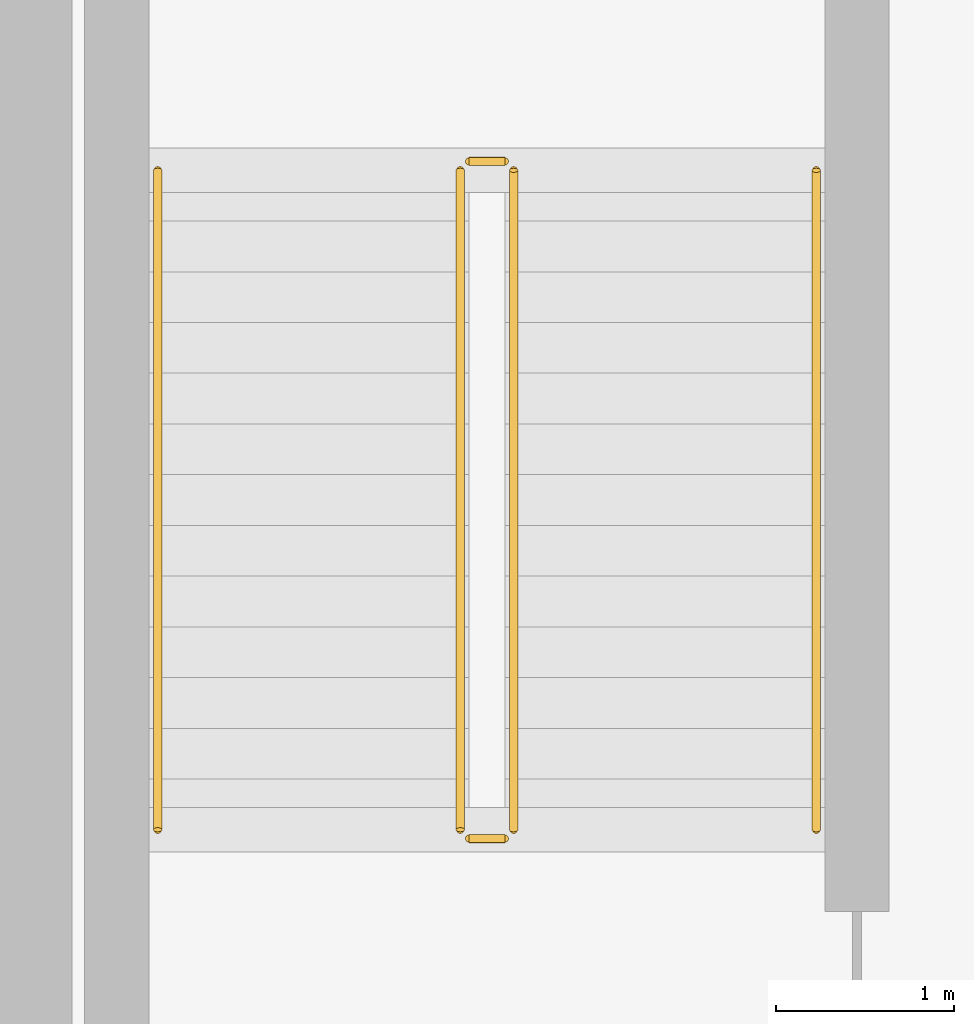
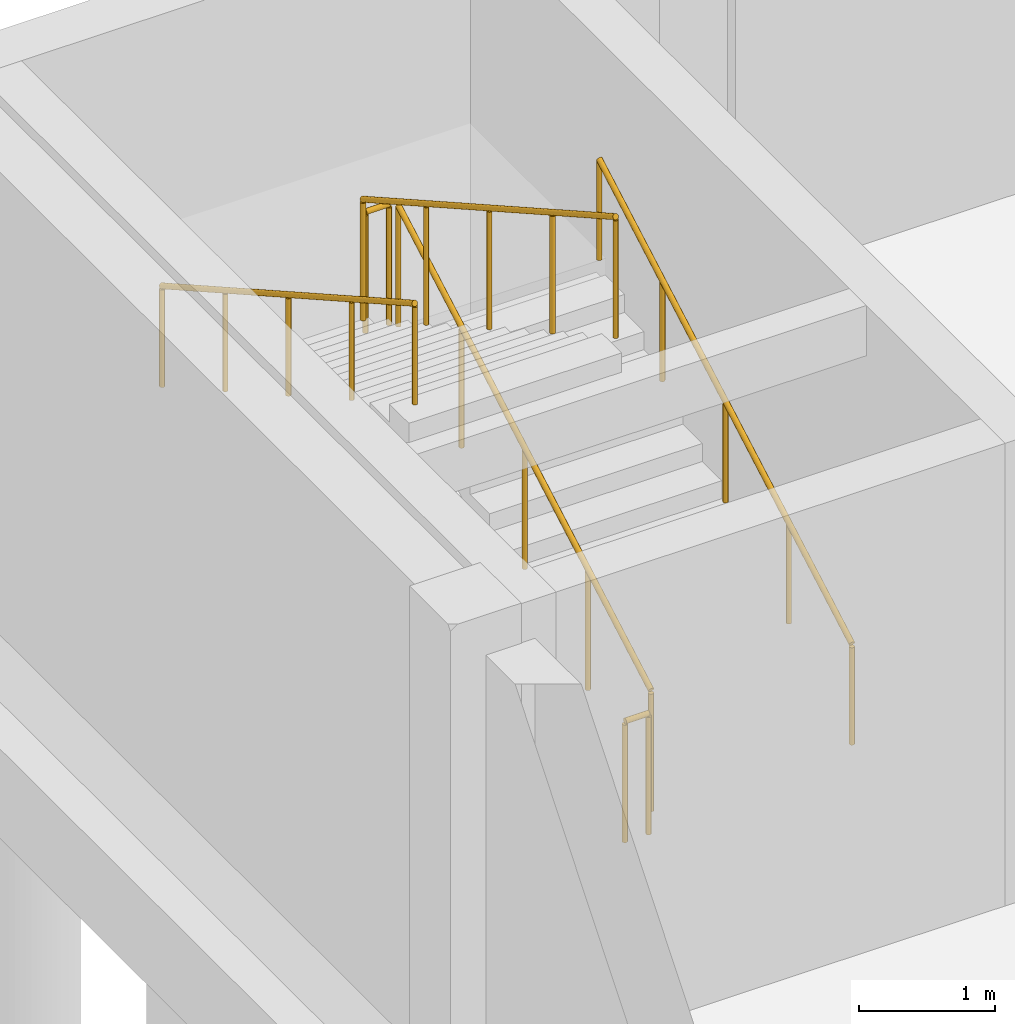
# One storey, part 20 of 25: 6 railings.
"""IFC4 building model written with IfcOpenShell, lengths in metres."""

from ifc_helpers import new_model, si_unit, direction, frame, origin, origin_2d, place, context, subcontext, project, spatial, circle, extrude, material, type_object, element, save


model = new_model("IFC4")

# Units and contexts
model_context = context("Model", 3, precision=1e-05, world=origin(), true_north=direction((0.0, 1.0)))
body_context = subcontext(model_context, "Body", "Model", "MODEL_VIEW")
ifc_project = project(units=[si_unit("LENGTHUNIT", "METRE"), si_unit("AREAUNIT", "SQUARE_METRE"), si_unit("VOLUMEUNIT", "CUBIC_METRE"), si_unit("PLANEANGLEUNIT", "RADIAN"), si_unit("MASSUNIT", "GRAM", prefix="KILO")], contexts=[model_context])

# Site, building, storey
site_placement = place(None, origin())
site = spatial("IfcSite", under=ifc_project, at=site_placement, CompositionType="ELEMENT")
building_placement = place(site_placement, origin())
building = spatial("IfcBuilding", under=site, at=building_placement, Name="Qaldarim Faculty of Natural and Applied Sciences", CompositionType="ELEMENT")
storey_placement = place(building_placement, frame((0.0, 0.0, -4.5)))
storey = spatial("IfcBuildingStorey", under=building, at=storey_placement, Name="B01", CompositionType="ELEMENT", Elevation=-4.5)

# Railings
ifc_material = material(Name="Architectural stainless steel 316", Category="steel")
railing_type_1 = type_object("IfcRailingType", Name="GuardBalustrade-1100", PredefinedType="BALUSTRADE", material=ifc_material)
railing_1_placement = place(storey_placement, frame((2.89990234375, 77.89990234375, 0.159912109375)))
element("IfcRailing", 1, at=railing_1_placement, inside=storey, type_object=railing_type_1, Name="ST-D2 B01 stair well guard 1", PredefinedType="BALUSTRADE", context=body_context, shape_type="SweptSolid", body=[
    extrude(circle(Radius=0.02392578125, at=origin_2d()), frame((0.0, 0.0, 1.076171875), z_axis=(0.0, 0.870974059579, 0.491329001322), x_axis=(-1.0, 0.0, 0.0)), (0.0, 0.0, 1.0), 4.25390625),
    extrude(circle(Radius=0.02099609375, at=origin_2d()), origin(), (0.0, 0.0, 1.0), 1.052001953125),
    extrude(circle(Radius=0.02099609375, at=origin_2d()), frame((0.0, 0.92626953125, 0.5224609375)), (0.0, 0.0, 1.0), 1.052001953125),
    extrude(circle(Radius=0.02099609375, at=origin_2d()), frame((0.0, 1.8525390625, 1.044921875)), (0.0, 0.0, 1.0), 1.052001953125),
    extrude(circle(Radius=0.02099609375, at=origin_2d()), frame((0.0, 2.77880859375, 1.567626953125)), (0.0, 0.0, 1.0), 1.052001953125),
    extrude(circle(Radius=0.02099609375, at=origin_2d()), frame((0.0, 3.705078125, 2.090087890625)), (0.0, 0.0, 1.0), 1.052001953125),
])
railing_2_placement = place(storey_placement, frame((2.85009765625, 81.655029296875, 2.25)))
element("IfcRailing", 2, at=railing_2_placement, inside=storey, type_object=railing_type_1, Name="ST-D2 B01 stair well guard 2", PredefinedType="BALUSTRADE", context=body_context, shape_type="SweptSolid", body=[
    extrude(circle(Radius=0.02392578125, at=origin_2d()), frame((0.0, 0.0, 1.076171875), z_axis=(-1.0, 0.0, 0.0), x_axis=(0.0, -1.0, 0.0)), (0.0, 0.0, 1.0), 0.2001953125),
    extrude(circle(Radius=0.02099609375, at=origin_2d()), origin(), (0.0, 0.0, 1.0), 1.052001953125),
    extrude(circle(Radius=0.02099609375, at=origin_2d()), frame((-0.2001953125, 0.0, 0.0)), (0.0, 0.0, 1.0), 1.052001953125),
])
railing_3_placement = place(storey_placement, frame((2.60009765625, 81.60498046875, 2.409912109375)))
element("IfcRailing", 3, at=railing_3_placement, inside=storey, type_object=railing_type_1, Name="ST-D2 B01 stair well guard 3", PredefinedType="BALUSTRADE", context=body_context, shape_type="SweptSolid", body=[
    extrude(circle(Radius=0.02392578125, at=origin_2d()), frame((0.0, 0.0, 1.076171875), z_axis=(0.0, -0.870974059579, 0.491329001322), x_axis=(1.0, 0.0, 0.0)), (0.0, 0.0, 1.0), 4.25390625),
    extrude(circle(Radius=0.02099609375, at=origin_2d()), origin(), (0.0, 0.0, 1.0), 1.052001953125),
    extrude(circle(Radius=0.02099609375, at=origin_2d()), frame((0.0, -0.92626953125, 0.5224609375)), (0.0, 0.0, 1.0), 1.052001953125),
    extrude(circle(Radius=0.02099609375, at=origin_2d()), frame((0.0, -1.8525390625, 1.044921875)), (0.0, 0.0, 1.0), 1.052001953125),
    extrude(circle(Radius=0.02099609375, at=origin_2d()), frame((0.0, -2.77880859375, 1.567626953125)), (0.0, 0.0, 1.0), 1.052001953125),
    extrude(circle(Radius=0.02099609375, at=origin_2d()), frame((0.0, -3.705078125, 2.090087890625)), (0.0, 0.0, 1.0), 1.052001953125),
])
railing_4_placement = place(storey_placement, frame((2.85009765625, 77.85009765625, 0.0)))
element("IfcRailing", 4, at=railing_4_placement, inside=storey, type_object=railing_type_1, Name="ST-D2 B01 stair well guard 4", PredefinedType="BALUSTRADE", context=body_context, shape_type="SweptSolid", body=[
    extrude(circle(Radius=0.02392578125, at=origin_2d()), frame((0.0, 0.0, 1.076171875), z_axis=(-1.0, 0.0, 0.0), x_axis=(0.0, -1.0, 0.0)), (0.0, 0.0, 1.0), 0.2001953125),
    extrude(circle(Radius=0.02099609375, at=origin_2d()), origin(), (0.0, 0.0, 1.0), 1.052001953125),
    extrude(circle(Radius=0.02099609375, at=origin_2d()), frame((-0.2001953125, 0.0, 0.0)), (0.0, 0.0, 1.0), 1.052001953125),
])
railing_type_2 = type_object("IfcRailingType", Name="StairHandrail-920", PredefinedType="HANDRAIL", material=ifc_material)
railing_5_placement = place(storey_placement, frame((4.60009765625, 77.89990234375, 0.159912109375)))
element("IfcRailing", 5, at=railing_5_placement, inside=storey, type_object=railing_type_2, Name="ST-D2 B01 stair handrail 1", PredefinedType="HANDRAIL", context=body_context, shape_type="SweptSolid", body=[
    extrude(circle(Radius=0.02392578125, at=origin_2d()), frame((0.0, 0.0, 0.89599609375), z_axis=(0.0, 0.870974059579, 0.491329001322), x_axis=(-1.0, 0.0, 0.0)), (0.0, 0.0, 1.0), 4.25390625),
    extrude(circle(Radius=0.02099609375, at=origin_2d()), origin(), (0.0, 0.0, 1.0), 0.871826171875),
    extrude(circle(Radius=0.02099609375, at=origin_2d()), frame((0.0, 0.92626953125, 0.5224609375)), (0.0, 0.0, 1.0), 0.871826171875),
    extrude(circle(Radius=0.02099609375, at=origin_2d()), frame((0.0, 1.8525390625, 1.044921875)), (0.0, 0.0, 1.0), 0.871826171875),
    extrude(circle(Radius=0.02099609375, at=origin_2d()), frame((0.0, 2.77880859375, 1.567626953125)), (0.0, 0.0, 1.0), 0.871826171875),
    extrude(circle(Radius=0.02099609375, at=origin_2d()), frame((0.0, 3.705078125, 2.090087890625)), (0.0, 0.0, 1.0), 0.871826171875),
])
railing_6_placement = place(storey_placement, frame((0.89990234375, 81.60498046875, 2.409912109375)))
element("IfcRailing", 6, at=railing_6_placement, inside=storey, type_object=railing_type_2, Name="ST-D2 B01 stair handrail 2", PredefinedType="HANDRAIL", context=body_context, shape_type="SweptSolid", body=[
    extrude(circle(Radius=0.02392578125, at=origin_2d()), frame((0.0, 0.0, 0.89599609375), z_axis=(0.0, -0.870974059579, 0.491329001322), x_axis=(1.0, 0.0, 0.0)), (0.0, 0.0, 1.0), 4.25390625),
    extrude(circle(Radius=0.02099609375, at=origin_2d()), origin(), (0.0, 0.0, 1.0), 0.871826171875),
    extrude(circle(Radius=0.02099609375, at=origin_2d()), frame((0.0, -0.92626953125, 0.5224609375)), (0.0, 0.0, 1.0), 0.871826171875),
    extrude(circle(Radius=0.02099609375, at=origin_2d()), frame((0.0, -1.8525390625, 1.044921875)), (0.0, 0.0, 1.0), 0.871826171875),
    extrude(circle(Radius=0.02099609375, at=origin_2d()), frame((0.0, -2.77880859375, 1.567626953125)), (0.0, 0.0, 1.0), 0.871826171875),
    extrude(circle(Radius=0.02099609375, at=origin_2d()), frame((0.0, -3.705078125, 2.090087890625)), (0.0, 0.0, 1.0), 0.871826171875),
])

save(model, "model.ifc")
